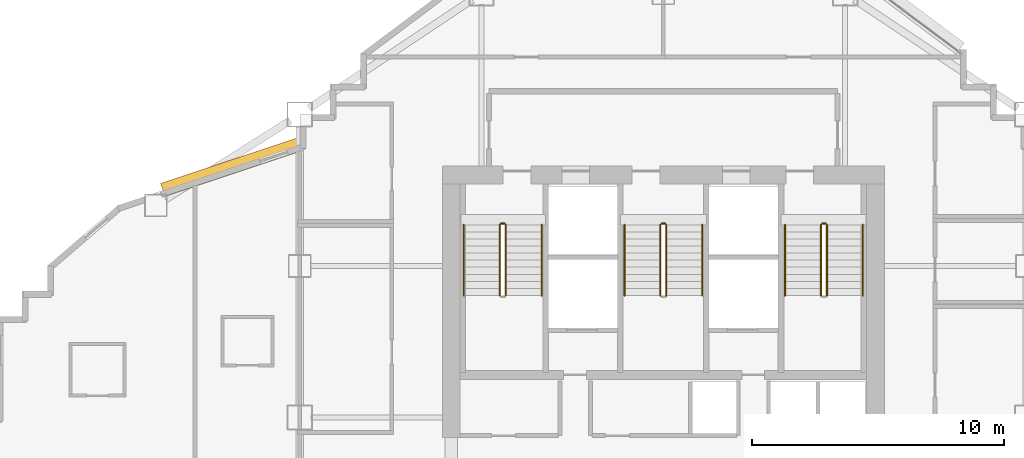
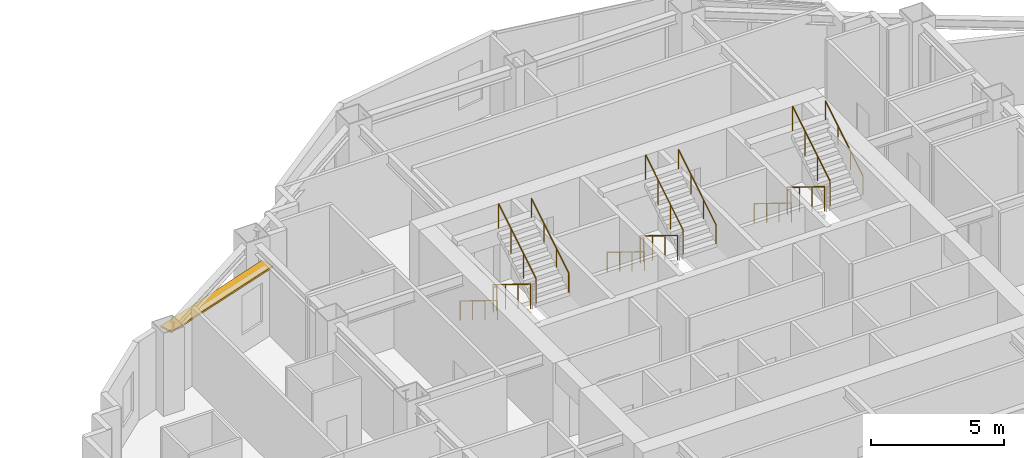
# One storey, part 13 of 14: 15 railings, 1 shading device.
"""IFC4 building model written with IfcOpenShell, lengths in metres."""

from ifc_helpers import new_model, si_unit, direction, frame, origin, origin_2d, place, context, subcontext, project, spatial, rectangle, circle, extrude, material, layer, layer_set, type_object, element, save


model = new_model("IFC4")

# Units and contexts
model_context = context("Model", 3, precision=1e-05, world=origin(), true_north=direction((0.0, 1.0)))
body_context = subcontext(model_context, "Body", "Model", "MODEL_VIEW")
ifc_project = project(units=[si_unit("LENGTHUNIT", "METRE"), si_unit("AREAUNIT", "SQUARE_METRE"), si_unit("VOLUMEUNIT", "CUBIC_METRE"), si_unit("PLANEANGLEUNIT", "RADIAN"), si_unit("MASSUNIT", "GRAM", prefix="KILO")], contexts=[model_context])

# Site, building, storey
site_placement = place(None, origin())
site = spatial("IfcSite", under=ifc_project, at=site_placement, CompositionType="ELEMENT")
building_placement = place(site_placement, origin())
building = spatial("IfcBuilding", under=site, at=building_placement, Name="Haolan Belvedere Tower", CompositionType="ELEMENT")
storey_placement = place(building_placement, frame((0.0, 0.0, 113.60009765625)))
storey = spatial("IfcBuildingStorey", under=building, at=storey_placement, Name="L28", CompositionType="ELEMENT", Elevation=113.60009765625)

# Railings
ifc_material_1 = material(Name="Brushed stainless steel 304", Category="steel")
railing_type_1 = type_object("IfcRailingType", Name="RL-STAIR-GRD-1150", PredefinedType="GUARDRAIL", material=ifc_material_1)
railing_1_placement = place(storey_placement, frame((31.919921875, 41.22998046875, 0.172607421875)))
element("IfcRailing", 1, at=railing_1_placement, inside=storey, type_object=railing_type_1, Name="L28 ST1 stair guard 1", PredefinedType="GUARDRAIL", context=body_context, shape_type="SweptSolid", body=[
    extrude(circle(Radius=0.02392578125, at=origin_2d()), frame((0.0, 0.0, 1.1259765625), z_axis=(0.0, -0.851089632645, 0.525020415988), x_axis=(1.0, 0.0, 0.0)), (0.0, 0.0, 1.0), 3.2900390625),
    extrude(circle(Radius=0.02099609375, at=origin_2d()), origin(), (0.0, 0.0, 1.0), 1.101806640625),
    extrude(circle(Radius=0.02099609375, at=origin_2d()), frame((0.0, -0.933349609375, 0.57568359375)), (0.0, 0.0, 1.0), 1.101806640625),
    extrude(circle(Radius=0.02099609375, at=origin_2d()), frame((0.0, -1.86669921875, 1.151611328125)), (0.0, 0.0, 1.0), 1.101806640625),
    extrude(circle(Radius=0.02099609375, at=origin_2d()), frame((0.0, -2.800048828125, 1.727294921875)), (0.0, 0.0, 1.0), 1.101806640625),
])
railing_2_placement = place(storey_placement, frame((32.159912109375, 38.429931640625, 2.072509765625)))
element("IfcRailing", 2, at=railing_2_placement, inside=storey, type_object=railing_type_1, Name="L28 ST1 stair guard 3", PredefinedType="GUARDRAIL", context=body_context, shape_type="SweptSolid", body=[
    extrude(circle(Radius=0.02392578125, at=origin_2d()), frame((0.0, 0.0, 1.1259765625), z_axis=(0.0, 0.851089632645, 0.525020415988), x_axis=(-1.0, 0.0, 0.0)), (0.0, 0.0, 1.0), 3.2900390625),
    extrude(circle(Radius=0.02099609375, at=origin_2d()), origin(), (0.0, 0.0, 1.0), 1.101806640625),
    extrude(circle(Radius=0.02099609375, at=origin_2d()), frame((0.0, 0.933349609375, 0.57568359375)), (0.0, 0.0, 1.0), 1.101806640625),
    extrude(circle(Radius=0.02099609375, at=origin_2d()), frame((0.0, 1.86669921875, 1.151611328125)), (0.0, 0.0, 1.0), 1.101806640625),
    extrude(circle(Radius=0.02099609375, at=origin_2d()), frame((0.0, 2.800048828125, 1.727294921875)), (0.0, 0.0, 1.0), 1.101806640625),
])
railing_3_placement = place(storey_placement, frame((31.969970703125, 41.280029296875, 0.0)))
element("IfcRailing", 3, at=railing_3_placement, inside=storey, type_object=railing_type_1, Name="L28 ST1 stair guard 4", PredefinedType="GUARDRAIL", context=body_context, shape_type="SweptSolid", body=[
    extrude(circle(Radius=0.02392578125, at=origin_2d()), frame((0.0, 0.0, 1.1259765625), z_axis=(1.0, 0.0, 0.0), x_axis=(0.0, 1.0, 0.0)), (0.0, 0.0, 1.0), 0.14013671875),
    extrude(circle(Radius=0.02099609375, at=origin_2d()), origin(), (0.0, 0.0, 1.0), 1.101806640625),
    extrude(circle(Radius=0.02099609375, at=origin_2d()), frame((0.14013671875, 0.0, 0.0)), (0.0, 0.0, 1.0), 1.101806640625),
])
railing_4_placement = place(storey_placement, frame((38.280029296875, 41.22998046875, 0.172607421875)))
element("IfcRailing", 4, at=railing_4_placement, inside=storey, type_object=railing_type_1, Name="L28 ST3 stair guard 1", PredefinedType="GUARDRAIL", context=body_context, shape_type="SweptSolid", body=[
    extrude(circle(Radius=0.02392578125, at=origin_2d()), frame((0.0, 0.0, 1.1259765625), z_axis=(0.0, -0.851089632645, 0.525020415988), x_axis=(1.0, 0.0, 0.0)), (0.0, 0.0, 1.0), 3.2900390625),
    extrude(circle(Radius=0.02099609375, at=origin_2d()), origin(), (0.0, 0.0, 1.0), 1.101806640625),
    extrude(circle(Radius=0.02099609375, at=origin_2d()), frame((0.0, -0.933349609375, 0.57568359375)), (0.0, 0.0, 1.0), 1.101806640625),
    extrude(circle(Radius=0.02099609375, at=origin_2d()), frame((0.0, -1.86669921875, 1.151611328125)), (0.0, 0.0, 1.0), 1.101806640625),
    extrude(circle(Radius=0.02099609375, at=origin_2d()), frame((0.0, -2.800048828125, 1.727294921875)), (0.0, 0.0, 1.0), 1.101806640625),
])
railing_5_placement = place(storey_placement, frame((38.52001953125, 38.429931640625, 2.072509765625)))
element("IfcRailing", 5, at=railing_5_placement, inside=storey, type_object=railing_type_1, Name="L28 ST3 stair guard 3", PredefinedType="GUARDRAIL", context=body_context, shape_type="SweptSolid", body=[
    extrude(circle(Radius=0.02392578125, at=origin_2d()), frame((0.0, 0.0, 1.1259765625), z_axis=(0.0, 0.851089632645, 0.525020415988), x_axis=(-1.0, 0.0, 0.0)), (0.0, 0.0, 1.0), 3.2900390625),
    extrude(circle(Radius=0.02099609375, at=origin_2d()), origin(), (0.0, 0.0, 1.0), 1.101806640625),
    extrude(circle(Radius=0.02099609375, at=origin_2d()), frame((0.0, 0.933349609375, 0.57568359375)), (0.0, 0.0, 1.0), 1.101806640625),
    extrude(circle(Radius=0.02099609375, at=origin_2d()), frame((0.0, 1.86669921875, 1.151611328125)), (0.0, 0.0, 1.0), 1.101806640625),
    extrude(circle(Radius=0.02099609375, at=origin_2d()), frame((0.0, 2.800048828125, 1.727294921875)), (0.0, 0.0, 1.0), 1.101806640625),
])
railing_6_placement = place(storey_placement, frame((38.330078125, 41.280029296875, 0.0)))
element("IfcRailing", 6, at=railing_6_placement, inside=storey, type_object=railing_type_1, Name="L28 ST3 stair guard 4", PredefinedType="GUARDRAIL", context=body_context, shape_type="SweptSolid", body=[
    extrude(circle(Radius=0.02392578125, at=origin_2d()), frame((0.0, 0.0, 1.1259765625), z_axis=(1.0, 0.0, 0.0), x_axis=(0.0, 1.0, 0.0)), (0.0, 0.0, 1.0), 0.139892578125),
    extrude(circle(Radius=0.02099609375, at=origin_2d()), origin(), (0.0, 0.0, 1.0), 1.101806640625),
    extrude(circle(Radius=0.02099609375, at=origin_2d()), frame((0.139892578125, 0.0, 0.0)), (0.0, 0.0, 1.0), 1.101806640625),
])
railing_7_placement = place(storey_placement, frame((44.639892578125, 41.22998046875, 0.172607421875)))
element("IfcRailing", 7, at=railing_7_placement, inside=storey, type_object=railing_type_1, Name="L28 ST2 stair guard 1", PredefinedType="GUARDRAIL", context=body_context, shape_type="SweptSolid", body=[
    extrude(circle(Radius=0.02392578125, at=origin_2d()), frame((0.0, 0.0, 1.1259765625), z_axis=(0.0, -0.851089632645, 0.525020415988), x_axis=(1.0, 0.0, 0.0)), (0.0, 0.0, 1.0), 3.2900390625),
    extrude(circle(Radius=0.02099609375, at=origin_2d()), origin(), (0.0, 0.0, 1.0), 1.101806640625),
    extrude(circle(Radius=0.02099609375, at=origin_2d()), frame((0.0, -0.933349609375, 0.57568359375)), (0.0, 0.0, 1.0), 1.101806640625),
    extrude(circle(Radius=0.02099609375, at=origin_2d()), frame((0.0, -1.86669921875, 1.151611328125)), (0.0, 0.0, 1.0), 1.101806640625),
    extrude(circle(Radius=0.02099609375, at=origin_2d()), frame((0.0, -2.800048828125, 1.727294921875)), (0.0, 0.0, 1.0), 1.101806640625),
])
railing_8_placement = place(storey_placement, frame((44.8798828125, 38.429931640625, 2.072509765625)))
element("IfcRailing", 8, at=railing_8_placement, inside=storey, type_object=railing_type_1, Name="L28 ST2 stair guard 3", PredefinedType="GUARDRAIL", context=body_context, shape_type="SweptSolid", body=[
    extrude(circle(Radius=0.02392578125, at=origin_2d()), frame((0.0, 0.0, 1.1259765625), z_axis=(0.0, 0.851089632645, 0.525020415988), x_axis=(-1.0, 0.0, 0.0)), (0.0, 0.0, 1.0), 3.2900390625),
    extrude(circle(Radius=0.02099609375, at=origin_2d()), origin(), (0.0, 0.0, 1.0), 1.101806640625),
    extrude(circle(Radius=0.02099609375, at=origin_2d()), frame((0.0, 0.933349609375, 0.57568359375)), (0.0, 0.0, 1.0), 1.101806640625),
    extrude(circle(Radius=0.02099609375, at=origin_2d()), frame((0.0, 1.86669921875, 1.151611328125)), (0.0, 0.0, 1.0), 1.101806640625),
    extrude(circle(Radius=0.02099609375, at=origin_2d()), frame((0.0, 2.800048828125, 1.727294921875)), (0.0, 0.0, 1.0), 1.101806640625),
])
railing_9_placement = place(storey_placement, frame((44.68994140625, 41.280029296875, 0.0)))
element("IfcRailing", 9, at=railing_9_placement, inside=storey, type_object=railing_type_1, Name="L28 ST2 stair guard 4", PredefinedType="GUARDRAIL", context=body_context, shape_type="SweptSolid", body=[
    extrude(circle(Radius=0.02392578125, at=origin_2d()), frame((0.0, 0.0, 1.1259765625), z_axis=(1.0, 0.0, 0.0), x_axis=(0.0, 1.0, 0.0)), (0.0, 0.0, 1.0), 0.14013671875),
    extrude(circle(Radius=0.02099609375, at=origin_2d()), origin(), (0.0, 0.0, 1.0), 1.101806640625),
    extrude(circle(Radius=0.02099609375, at=origin_2d()), frame((0.14013671875, 0.0, 0.0)), (0.0, 0.0, 1.0), 1.101806640625),
])
railing_type_2 = type_object("IfcRailingType", Name="RL-STAIR-HND-900", PredefinedType="HANDRAIL", material=ifc_material_1)
railing_10_placement = place(storey_placement, frame((30.5, 41.22998046875, 0.172607421875)))
element("IfcRailing", 10, at=railing_10_placement, inside=storey, type_object=railing_type_2, Name="L28 ST1 stair handrail 1", PredefinedType="HANDRAIL", context=body_context, shape_type="SweptSolid", body=[
    extrude(circle(Radius=0.02392578125, at=origin_2d()), frame((0.0, 0.0, 0.8759765625), z_axis=(0.0, -0.851089632645, 0.525020415988), x_axis=(1.0, 0.0, 0.0)), (0.0, 0.0, 1.0), 3.2900390625),
    extrude(circle(Radius=0.02099609375, at=origin_2d()), origin(), (0.0, 0.0, 1.0), 0.851806640625),
    extrude(circle(Radius=0.02099609375, at=origin_2d()), frame((0.0, -0.933349609375, 0.57568359375)), (0.0, 0.0, 1.0), 0.851806640625),
    extrude(circle(Radius=0.02099609375, at=origin_2d()), frame((0.0, -1.86669921875, 1.151611328125)), (0.0, 0.0, 1.0), 0.851806640625),
    extrude(circle(Radius=0.02099609375, at=origin_2d()), frame((0.0, -2.800048828125, 1.727294921875)), (0.0, 0.0, 1.0), 0.851806640625),
])
railing_11_placement = place(storey_placement, frame((33.580078125, 38.429931640625, 2.072509765625)))
element("IfcRailing", 11, at=railing_11_placement, inside=storey, type_object=railing_type_2, Name="L28 ST1 stair handrail 2", PredefinedType="HANDRAIL", context=body_context, shape_type="SweptSolid", body=[
    extrude(circle(Radius=0.02392578125, at=origin_2d()), frame((0.0, 0.0, 0.8759765625), z_axis=(0.0, 0.851089632645, 0.525020415988), x_axis=(-1.0, 0.0, 0.0)), (0.0, 0.0, 1.0), 3.2900390625),
    extrude(circle(Radius=0.02099609375, at=origin_2d()), origin(), (0.0, 0.0, 1.0), 0.851806640625),
    extrude(circle(Radius=0.02099609375, at=origin_2d()), frame((0.0, 0.933349609375, 0.57568359375)), (0.0, 0.0, 1.0), 0.851806640625),
    extrude(circle(Radius=0.02099609375, at=origin_2d()), frame((0.0, 1.86669921875, 1.151611328125)), (0.0, 0.0, 1.0), 0.851806640625),
    extrude(circle(Radius=0.02099609375, at=origin_2d()), frame((0.0, 2.800048828125, 1.727294921875)), (0.0, 0.0, 1.0), 0.851806640625),
])
railing_12_placement = place(storey_placement, frame((36.860107421875, 41.22998046875, 0.172607421875)))
element("IfcRailing", 12, at=railing_12_placement, inside=storey, type_object=railing_type_2, Name="L28 ST3 stair handrail 1", PredefinedType="HANDRAIL", context=body_context, shape_type="SweptSolid", body=[
    extrude(circle(Radius=0.02392578125, at=origin_2d()), frame((0.0, 0.0, 0.8759765625), z_axis=(0.0, -0.851089632645, 0.525020415988), x_axis=(1.0, 0.0, 0.0)), (0.0, 0.0, 1.0), 3.2900390625),
    extrude(circle(Radius=0.02099609375, at=origin_2d()), origin(), (0.0, 0.0, 1.0), 0.851806640625),
    extrude(circle(Radius=0.02099609375, at=origin_2d()), frame((0.0, -0.933349609375, 0.57568359375)), (0.0, 0.0, 1.0), 0.851806640625),
    extrude(circle(Radius=0.02099609375, at=origin_2d()), frame((0.0, -1.86669921875, 1.151611328125)), (0.0, 0.0, 1.0), 0.851806640625),
    extrude(circle(Radius=0.02099609375, at=origin_2d()), frame((0.0, -2.800048828125, 1.727294921875)), (0.0, 0.0, 1.0), 0.851806640625),
])
railing_13_placement = place(storey_placement, frame((39.93994140625, 38.429931640625, 2.072509765625)))
element("IfcRailing", 13, at=railing_13_placement, inside=storey, type_object=railing_type_2, Name="L28 ST3 stair handrail 2", PredefinedType="HANDRAIL", context=body_context, shape_type="SweptSolid", body=[
    extrude(circle(Radius=0.02392578125, at=origin_2d()), frame((0.0, 0.0, 0.8759765625), z_axis=(0.0, 0.851089632645, 0.525020415988), x_axis=(-1.0, 0.0, 0.0)), (0.0, 0.0, 1.0), 3.2900390625),
    extrude(circle(Radius=0.02099609375, at=origin_2d()), origin(), (0.0, 0.0, 1.0), 0.851806640625),
    extrude(circle(Radius=0.02099609375, at=origin_2d()), frame((0.0, 0.933349609375, 0.57568359375)), (0.0, 0.0, 1.0), 0.851806640625),
    extrude(circle(Radius=0.02099609375, at=origin_2d()), frame((0.0, 1.86669921875, 1.151611328125)), (0.0, 0.0, 1.0), 0.851806640625),
    extrude(circle(Radius=0.02099609375, at=origin_2d()), frame((0.0, 2.800048828125, 1.727294921875)), (0.0, 0.0, 1.0), 0.851806640625),
])
railing_14_placement = place(storey_placement, frame((43.219970703125, 41.22998046875, 0.172607421875)))
element("IfcRailing", 14, at=railing_14_placement, inside=storey, type_object=railing_type_2, Name="L28 ST2 stair handrail 1", PredefinedType="HANDRAIL", context=body_context, shape_type="SweptSolid", body=[
    extrude(circle(Radius=0.02392578125, at=origin_2d()), frame((0.0, 0.0, 0.8759765625), z_axis=(0.0, -0.851089632645, 0.525020415988), x_axis=(1.0, 0.0, 0.0)), (0.0, 0.0, 1.0), 3.2900390625),
    extrude(circle(Radius=0.02099609375, at=origin_2d()), origin(), (0.0, 0.0, 1.0), 0.851806640625),
    extrude(circle(Radius=0.02099609375, at=origin_2d()), frame((0.0, -0.933349609375, 0.57568359375)), (0.0, 0.0, 1.0), 0.851806640625),
    extrude(circle(Radius=0.02099609375, at=origin_2d()), frame((0.0, -1.86669921875, 1.151611328125)), (0.0, 0.0, 1.0), 0.851806640625),
    extrude(circle(Radius=0.02099609375, at=origin_2d()), frame((0.0, -2.800048828125, 1.727294921875)), (0.0, 0.0, 1.0), 0.851806640625),
])
railing_15_placement = place(storey_placement, frame((46.300048828125, 38.429931640625, 2.072509765625)))
element("IfcRailing", 15, at=railing_15_placement, inside=storey, type_object=railing_type_2, Name="L28 ST2 stair handrail 2", PredefinedType="HANDRAIL", context=body_context, shape_type="SweptSolid", body=[
    extrude(circle(Radius=0.02392578125, at=origin_2d()), frame((0.0, 0.0, 0.8759765625), z_axis=(0.0, 0.851089632645, 0.525020415988), x_axis=(-1.0, 0.0, 0.0)), (0.0, 0.0, 1.0), 3.2900390625),
    extrude(circle(Radius=0.02099609375, at=origin_2d()), origin(), (0.0, 0.0, 1.0), 0.851806640625),
    extrude(circle(Radius=0.02099609375, at=origin_2d()), frame((0.0, 0.933349609375, 0.57568359375)), (0.0, 0.0, 1.0), 0.851806640625),
    extrude(circle(Radius=0.02099609375, at=origin_2d()), frame((0.0, 1.86669921875, 1.151611328125)), (0.0, 0.0, 1.0), 0.851806640625),
    extrude(circle(Radius=0.02099609375, at=origin_2d()), frame((0.0, 2.800048828125, 1.727294921875)), (0.0, 0.0, 1.0), 0.851806640625),
])

# Shading device
ifc_material_2 = material(Name="Anodised champagne-silver aluminium 6063-T6", Category="aluminium")
ifc_layer = layer(ifc_material_2, 0.080078125, Name="Anodised champagne-silver aluminium 6063-T6")
ifc_layer_set = layer_set([ifc_layer], Name="Anodised champagne-silver aluminium 6063-T6")
shading_device_type = type_object("IfcShadingDeviceType", Name="SHD-SUN-550", PredefinedType="USERDEFINED", material=ifc_layer_set)
shading_device_placement = place(storey_placement, frame((21.29443359375, 43.519287109375, 3.044921875), z_axis=(0.0, 0.0, 1.0), x_axis=(-0.948683015593, -0.316228613389, 0.0)))
element("IfcShadingDevice", 16, at=shading_device_placement, inside=storey, type_object=shading_device_type, Name="L28 pale-metal horizontal SUNSHADE band 35.1", ObjectType="SUNSHADE", PredefinedType="USERDEFINED", context=body_context, shape_type="SweptSolid", body=[
    extrude(rectangle(XDim=5.7333984375, YDim=0.550048828125, at=origin_2d()), origin(), (0.0, 0.0, 1.0), 0.080078125),
])

save(model, "model.ifc")
